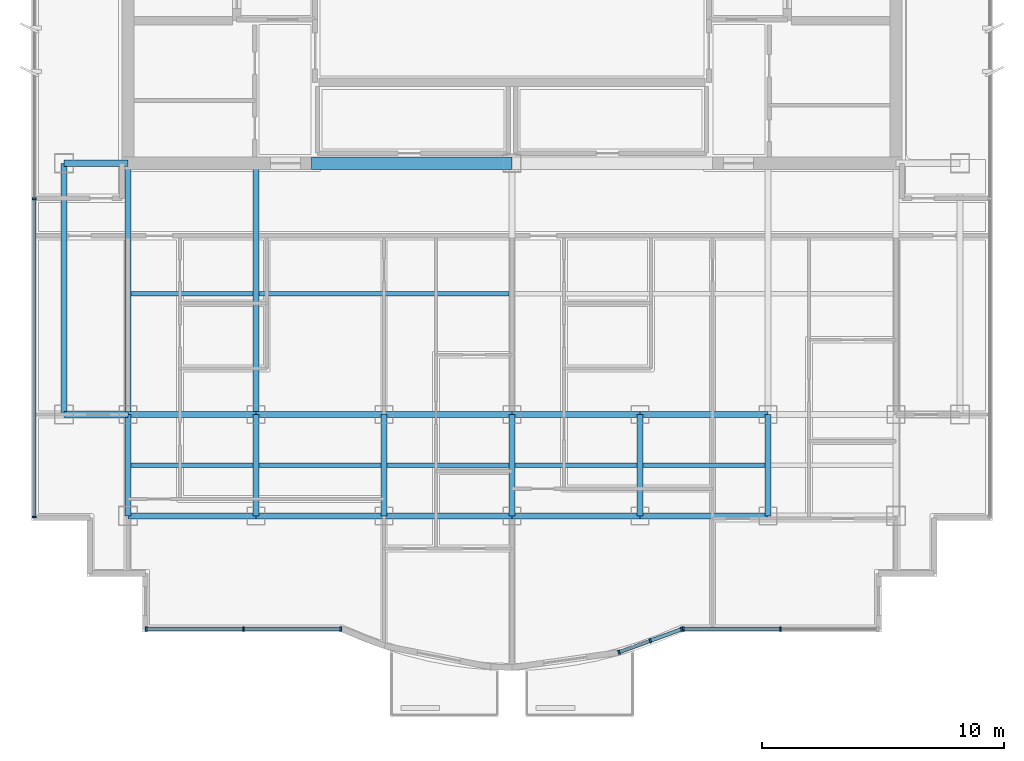
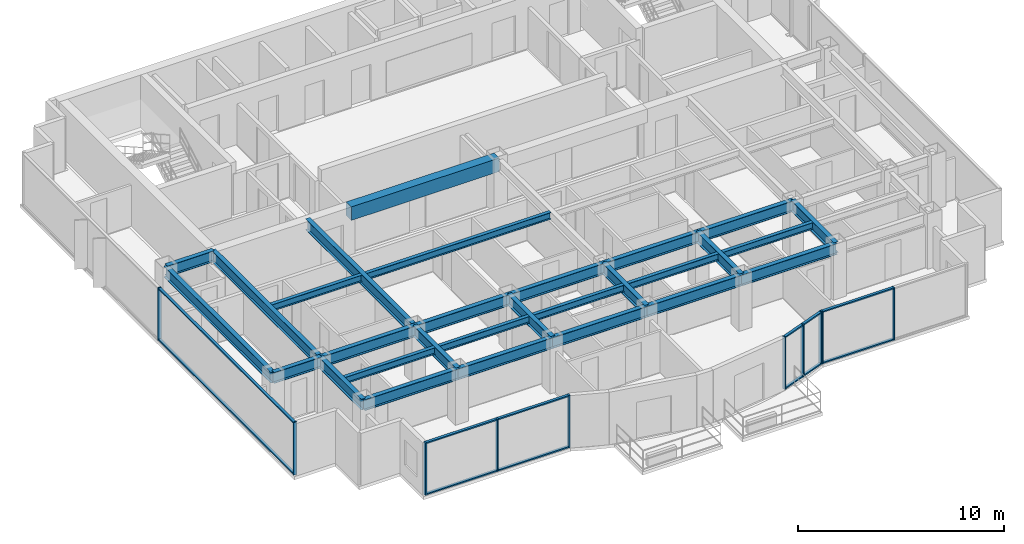
# One storey, part 2 of 12: 29 beams, 22 members, 4 elements without a shape of their own.
"""IFC4 building model written with IfcOpenShell, lengths in metres."""

from ifc_helpers import new_model, si_unit, direction, frame, origin, origin_2d, place, context, subcontext, project, spatial, rectangle, i_section, extrude, source, transform, mapped, material, layer, layer_set, material_profile, profile_set, type_object, element, aggregate, save


model = new_model("IFC4")

# Units and contexts
model_context = context("Model", 3, precision=1e-05, world=origin(), true_north=direction((0.0, 1.0)))
body_context = subcontext(model_context, "Body", "Model", "MODEL_VIEW")
ifc_project = project(units=[si_unit("LENGTHUNIT", "METRE"), si_unit("AREAUNIT", "SQUARE_METRE"), si_unit("VOLUMEUNIT", "CUBIC_METRE"), si_unit("PLANEANGLEUNIT", "RADIAN"), si_unit("MASSUNIT", "GRAM", prefix="KILO")], contexts=[model_context])

# Site, building, storey
site_placement = place(None, origin())
site = spatial("IfcSite", under=ifc_project, at=site_placement, CompositionType="ELEMENT")
building_placement = place(site_placement, origin())
building = spatial("IfcBuilding", under=site, at=building_placement, Name="Qianlan Lanfeng Residences", CompositionType="ELEMENT")
storey_placement = place(building_placement, frame((0.0, 0.0, 219.800048828125)))
storey = spatial("IfcBuildingStorey", under=building, at=storey_placement, Name="L60", CompositionType="ELEMENT", Elevation=219.800048828125)

# Beams
ifc_material_1 = material(Name="Steel SN490B", Category="steel")
ifc_material_profile_1 = material_profile(ifc_material_1, i_section(OverallWidth=0.25, OverallDepth=0.64990234375, WebThickness=0.012939453125, FlangeThickness=0.02197265625, at=origin_2d()), Name="H 650x250x13x22")
ifc_profile_set_1 = profile_set([ifc_material_profile_1], Name="Steel SN490B")
beam_type_1 = type_object("IfcBeamType", Name="G-650", PredefinedType="BEAM", material=ifc_profile_set_1)
beam_1_placement = place(storey_placement, frame((10.60009765625, 10.60009765625, 2.784912109375), z_axis=(1.0, 0.0, 0.0), x_axis=(0.0, 1.0, 0.0)))
element("IfcBeam", 1, at=beam_1_placement, inside=storey, type_object=beam_type_1, Name="Structural beam G-650", PredefinedType="BEAM", context=body_context, shape_type="SweptSolid", body=[
    extrude(i_section(OverallWidth=0.25, OverallDepth=0.64990234375, WebThickness=0.012939453125, FlangeThickness=0.02197265625, at=origin_2d()), origin(), (0.0, 0.0, 1.0), 5.2998046875),
])
for number, where, z_axis, x_axis, name in (
    (2, (15.89990234375, 10.60009765625, 2.784912109375), (1.0, 0.0, 0.0), (0.0, 1.0, 0.0), "Structural beam G-650"),
    (3, (21.199951171875, 10.60009765625, 2.784912109375), (1.0, 0.0, 0.0), (0.0, 1.0, 0.0), "Structural beam G-650"),
    (4, (26.5, 10.60009765625, 2.784912109375), (1.0, 0.0, 0.0), (0.0, 1.0, 0.0), "Structural beam G-650"),
    (5, (31.800048828125, 10.60009765625, 2.784912109375), (1.0, 0.0, 0.0), (0.0, 1.0, 0.0), "Structural beam G-650"),
):
    element("IfcBeam", number, at=place(storey_placement, frame(where, z_axis=z_axis, x_axis=x_axis)), inside=storey, type_object=beam_type_1, Name=name, PredefinedType="BEAM", context=body_context, shape_type="SweptSolid", body=[
        extrude(i_section(OverallWidth=0.25, OverallDepth=0.64990234375, WebThickness=0.012939453125, FlangeThickness=0.02197265625, at=origin_2d()), origin(), (0.0, 0.0, 1.0), 5.300048828125),
    ])
beam_2_placement = place(storey_placement, frame((7.949951171875, 14.800048828125, 2.784912109375), z_axis=(1.0, 0.0, 0.0), x_axis=(0.0, 1.0, 0.0)))
element("IfcBeam", 6, at=beam_2_placement, inside=storey, type_object=beam_type_1, Name="Structural beam G-650", PredefinedType="BEAM", context=body_context, shape_type="SweptSolid", body=[
    extrude(i_section(OverallWidth=0.25, OverallDepth=0.64990234375, WebThickness=0.012939453125, FlangeThickness=0.02197265625, at=origin_2d()), origin(), (0.0, 0.0, 1.0), 2.650146484375),
])
beam_3_placement = place(storey_placement, frame((10.60009765625, 14.800048828125, 2.784912109375), z_axis=(1.0, 0.0, 0.0), x_axis=(0.0, 1.0, 0.0)))
element("IfcBeam", 7, at=beam_3_placement, inside=storey, type_object=beam_type_1, Name="Structural beam G-650", PredefinedType="BEAM", context=body_context, shape_type="SweptSolid", body=[
    extrude(i_section(OverallWidth=0.25, OverallDepth=0.64990234375, WebThickness=0.012939453125, FlangeThickness=0.02197265625, at=origin_2d()), origin(), (0.0, 0.0, 1.0), 5.2998046875),
])
for number, where, z_axis, x_axis, name in (
    (8, (15.89990234375, 14.800048828125, 2.784912109375), (1.0, 0.0, 0.0), (0.0, 1.0, 0.0), "Structural beam G-650"),
    (9, (21.199951171875, 14.800048828125, 2.784912109375), (1.0, 0.0, 0.0), (0.0, 1.0, 0.0), "Structural beam G-650"),
    (10, (26.5, 14.800048828125, 2.784912109375), (1.0, 0.0, 0.0), (0.0, 1.0, 0.0), "Structural beam G-650"),
    (11, (31.800048828125, 14.800048828125, 2.784912109375), (1.0, 0.0, 0.0), (0.0, 1.0, 0.0), "Structural beam G-650"),
):
    element("IfcBeam", number, at=place(storey_placement, frame(where, z_axis=z_axis, x_axis=x_axis)), inside=storey, type_object=beam_type_1, Name=name, PredefinedType="BEAM", context=body_context, shape_type="SweptSolid", body=[
        extrude(i_section(OverallWidth=0.25, OverallDepth=0.64990234375, WebThickness=0.012939453125, FlangeThickness=0.02197265625, at=origin_2d()), origin(), (0.0, 0.0, 1.0), 5.300048828125),
    ])
beam_4_placement = place(storey_placement, frame((7.949951171875, 25.199951171875, 2.784912109375), z_axis=(1.0, 0.0, 0.0), x_axis=(0.0, 1.0, 0.0)))
element("IfcBeam", 12, at=beam_4_placement, inside=storey, type_object=beam_type_1, Name="Structural beam G-650", PredefinedType="BEAM", context=body_context, shape_type="SweptSolid", body=[
    extrude(i_section(OverallWidth=0.25, OverallDepth=0.64990234375, WebThickness=0.012939453125, FlangeThickness=0.02197265625, at=origin_2d()), origin(), (0.0, 0.0, 1.0), 2.650146484375),
])
beam_5_placement = place(storey_placement, frame((10.60009765625, 10.60009765625, 2.784912109375), z_axis=(0.0, 1.0, 0.0), x_axis=(-1.0, 0.0, 0.0)))
element("IfcBeam", 13, at=beam_5_placement, inside=storey, type_object=beam_type_1, Name="Structural beam G-650", PredefinedType="BEAM", context=body_context, shape_type="SweptSolid", body=[
    extrude(i_section(OverallWidth=0.25, OverallDepth=0.64990234375, WebThickness=0.012939453125, FlangeThickness=0.02197265625, at=origin_2d()), origin(), (0.0, 0.0, 1.0), 4.199951171875),
])
beam_6_placement = place(storey_placement, frame((10.60009765625, 14.800048828125, 2.784912109375), z_axis=(0.0, 1.0, 0.0), x_axis=(-1.0, 0.0, 0.0)))
element("IfcBeam", 14, at=beam_6_placement, inside=storey, type_object=beam_type_1, Name="Structural beam G-650", PredefinedType="BEAM", context=body_context, shape_type="SweptSolid", body=[
    extrude(i_section(OverallWidth=0.25, OverallDepth=0.64990234375, WebThickness=0.012939453125, FlangeThickness=0.02197265625, at=origin_2d()), origin(), (0.0, 0.0, 1.0), 10.39990234375),
])
beam_7_placement = place(storey_placement, frame((15.89990234375, 10.60009765625, 2.784912109375), z_axis=(0.0, 1.0, 0.0), x_axis=(-1.0, 0.0, 0.0)))
element("IfcBeam", 15, at=beam_7_placement, inside=storey, type_object=beam_type_1, Name="Structural beam G-650", PredefinedType="BEAM", context=body_context, shape_type="SweptSolid", body=[
    extrude(i_section(OverallWidth=0.25, OverallDepth=0.64990234375, WebThickness=0.012939453125, FlangeThickness=0.02197265625, at=origin_2d()), origin(), (0.0, 0.0, 1.0), 4.199951171875),
])
beam_8_placement = place(storey_placement, frame((15.89990234375, 14.800048828125, 2.784912109375), z_axis=(0.0, 1.0, 0.0), x_axis=(-1.0, 0.0, 0.0)))
element("IfcBeam", 16, at=beam_8_placement, inside=storey, type_object=beam_type_1, Name="Structural beam G-650", PredefinedType="BEAM", context=body_context, shape_type="SweptSolid", body=[
    extrude(i_section(OverallWidth=0.25, OverallDepth=0.64990234375, WebThickness=0.012939453125, FlangeThickness=0.02197265625, at=origin_2d()), origin(), (0.0, 0.0, 1.0), 10.39990234375),
])
for number, where, z_axis, x_axis, name in (
    (17, (21.199951171875, 10.60009765625, 2.784912109375), (0.0, 1.0, 0.0), (-1.0, 0.0, 0.0), "Structural beam G-650"),
    (18, (26.5, 10.60009765625, 2.784912109375), (0.0, 1.0, 0.0), (-1.0, 0.0, 0.0), "Structural beam G-650"),
    (19, (31.800048828125, 10.60009765625, 2.784912109375), (0.0, 1.0, 0.0), (-1.0, 0.0, 0.0), "Structural beam G-650"),
    (20, (37.10009765625, 10.60009765625, 2.784912109375), (0.0, 1.0, 0.0), (-1.0, 0.0, 0.0), "Structural beam G-650"),
):
    element("IfcBeam", number, at=place(storey_placement, frame(where, z_axis=z_axis, x_axis=x_axis)), inside=storey, type_object=beam_type_1, Name=name, PredefinedType="BEAM", context=body_context, shape_type="SweptSolid", body=[
        extrude(i_section(OverallWidth=0.25, OverallDepth=0.64990234375, WebThickness=0.012939453125, FlangeThickness=0.02197265625, at=origin_2d()), origin(), (0.0, 0.0, 1.0), 4.199951171875),
    ])
ifc_material_profile_2 = material_profile(ifc_material_1, i_section(OverallWidth=0.199951171875, OverallDepth=0.39990234375, WebThickness=0.008056640625, FlangeThickness=0.012939453125, at=origin_2d()), Name="H 400x200x8x13")
ifc_profile_set_2 = profile_set([ifc_material_profile_2], Name="Steel SN490B")
beam_type_2 = type_object("IfcBeamType", Name="J-400", PredefinedType="JOIST", material=ifc_profile_set_2)
beam_9_placement = place(storey_placement, frame((10.72509765625, 12.699951171875, 2.909912109375), z_axis=(1.0, 0.0, 0.0), x_axis=(0.0, 1.0, 0.0)))
element("IfcBeam", 21, at=beam_9_placement, inside=storey, type_object=beam_type_2, Name="Structural beam J-400", PredefinedType="JOIST", context=body_context, shape_type="SweptSolid", body=[
    extrude(i_section(OverallWidth=0.199951171875, OverallDepth=0.39990234375, WebThickness=0.008056640625, FlangeThickness=0.012939453125, at=origin_2d()), origin(), (0.0, 0.0, 1.0), 5.0498046875),
])
for number, where, z_axis, x_axis, name in (
    (22, (16.02490234375, 12.699951171875, 2.909912109375), (1.0, 0.0, 0.0), (0.0, 1.0, 0.0), "Structural beam J-400"),
    (23, (21.324951171875, 12.699951171875, 2.909912109375), (1.0, 0.0, 0.0), (0.0, 1.0, 0.0), "Structural beam J-400"),
    (24, (26.625, 12.699951171875, 2.909912109375), (1.0, 0.0, 0.0), (0.0, 1.0, 0.0), "Structural beam J-400"),
    (25, (31.925048828125, 12.699951171875, 2.909912109375), (1.0, 0.0, 0.0), (0.0, 1.0, 0.0), "Structural beam J-400"),
):
    element("IfcBeam", number, at=place(storey_placement, frame(where, z_axis=z_axis, x_axis=x_axis)), inside=storey, type_object=beam_type_2, Name=name, PredefinedType="JOIST", context=body_context, shape_type="SweptSolid", body=[
        extrude(i_section(OverallWidth=0.199951171875, OverallDepth=0.39990234375, WebThickness=0.008056640625, FlangeThickness=0.012939453125, at=origin_2d()), origin(), (0.0, 0.0, 1.0), 5.050048828125),
    ])
beam_10_placement = place(storey_placement, frame((10.72509765625, 19.800048828125, 2.909912109375), z_axis=(1.0, 0.0, 0.0), x_axis=(0.0, 1.0, 0.0)))
element("IfcBeam", 26, at=beam_10_placement, inside=storey, type_object=beam_type_2, Name="Structural beam J-400", PredefinedType="JOIST", context=body_context, shape_type="SweptSolid", body=[
    extrude(i_section(OverallWidth=0.199951171875, OverallDepth=0.39990234375, WebThickness=0.008056640625, FlangeThickness=0.012939453125, at=origin_2d()), origin(), (0.0, 0.0, 1.0), 5.0498046875),
])
beam_11_placement = place(storey_placement, frame((16.02490234375, 19.800048828125, 2.909912109375), z_axis=(1.0, 0.0, 0.0), x_axis=(0.0, 1.0, 0.0)))
element("IfcBeam", 27, at=beam_11_placement, inside=storey, type_object=beam_type_2, Name="Structural beam J-400", PredefinedType="JOIST", context=body_context, shape_type="SweptSolid", body=[
    extrude(i_section(OverallWidth=0.199951171875, OverallDepth=0.39990234375, WebThickness=0.008056640625, FlangeThickness=0.012939453125, at=origin_2d()), origin(), (0.0, 0.0, 1.0), 10.35009765625),
])
ifc_material_2 = material(Name="Concrete C49", Category="concrete")
ifc_material_profile_3 = material_profile(ifc_material_2, rectangle(XDim=0.5, YDim=0.800048828125, at=origin_2d()), Name="RC 500x800")
ifc_profile_set_3 = profile_set([ifc_material_profile_3], Name="Concrete C49")
beam_type_3 = type_object("IfcBeamType", Name="LB-RC750", PredefinedType="BEAM", material=ifc_profile_set_3)
beam_12_placement = place(storey_placement, frame((18.199951171875, 25.199951171875, 2.7099609375), z_axis=(1.0, 0.0, 0.0), x_axis=(0.0, 1.0, 0.0)))
element("IfcBeam", 28, at=beam_12_placement, inside=storey, type_object=beam_type_3, Name="L60 Core Coupling Beam W", PredefinedType="BEAM", context=body_context, shape_type="SweptSolid", body=[
    extrude(rectangle(XDim=0.5, YDim=0.800048828125, at=origin_2d()), origin(), (0.0, 0.0, 1.0), 8.300048828125),
])
ifc_material_profile_4 = material_profile(ifc_material_1, i_section(OverallWidth=0.25, OverallDepth=0.64990234375, WebThickness=0.012939453125, FlangeThickness=0.02197265625, at=origin_2d()), Name="H 650x250x13x22")
ifc_profile_set_4 = profile_set([ifc_material_profile_4], Name="Steel SN490B")
beam_type_4 = type_object("IfcBeamType", Name="SG-650", PredefinedType="SPANDREL", material=ifc_profile_set_4)
beam_13_placement = place(storey_placement, frame((7.949951171875, 14.800048828125, 2.764892578125), z_axis=(0.0, 1.0, 0.0), x_axis=(-1.0, 0.0, 0.0)))
element("IfcBeam", 29, at=beam_13_placement, inside=storey, type_object=beam_type_4, Name="Structural beam SG-650", PredefinedType="SPANDREL", context=body_context, shape_type="SweptSolid", body=[
    extrude(i_section(OverallWidth=0.25, OverallDepth=0.64990234375, WebThickness=0.012939453125, FlangeThickness=0.02197265625, at=origin_2d()), origin(), (0.0, 0.0, 1.0), 10.39990234375),
])

# Curtain wall, members
ifc_material_3 = material(Name="Anodised Bronze Aluminium 6063-T6", Category="aluminium")
ifc_layer = layer(ifc_material_3, 0.219970703125)
ifc_layer_set = layer_set([ifc_layer], Name="Anodised Bronze Aluminium 6063-T6")
curtain_wall_type = type_object("IfcCurtainWallType", Name="CW-05", PredefinedType="NOTDEFINED", material=ifc_layer_set)
curtain_wall_1_placement = place(storey_placement, origin())
curtain_wall_1 = element("IfcCurtainWall", 30, at=curtain_wall_1_placement, inside=storey, type_object=curtain_wall_type, Name="L60 Unitised Curtain Wall CWR-L60-01 (CW-05)", PredefinedType="NOTDEFINED")
ifc_material_profile_5 = material_profile(ifc_material_3, rectangle(XDim=0.074951171875, YDim=0.14990234375, at=origin_2d()), Name="ALU TRANSOM 75x150")
ifc_profile_set_5 = profile_set([ifc_material_profile_5], Name="Anodised Bronze Aluminium 6063-T6")
member_type_1 = type_object("IfcMemberType", Name="CWT-150", PredefinedType="USERDEFINED", material=ifc_profile_set_5)
shared_shape_1 = source(origin(), body_context, "Body", "SweptSolid", [
    extrude(rectangle(XDim=0.074951171875, YDim=0.14990234375, at=origin_2d()), origin(), (0.0, 0.0, 1.0), 3.949462890625),
])
member_1_placement = place(storey_placement, frame((11.39501953125, 5.919921875, 0.037353515625), z_axis=(1.0, 0.0, 0.0), x_axis=(0.0, 0.0, 1.0)))
member_1 = element("IfcMember", 31, at=member_1_placement, type_object=member_type_1, Name="CWR-L60-01 Transom 1-BOT", ObjectType="TRANSOM", PredefinedType="USERDEFINED", context=body_context, shape_type="MappedRepresentation", body=[
    mapped(shared_shape_1, transform((0.0, 0.0, 0.0), scale=1.0)),
])
member_2_placement = place(storey_placement, frame((11.39501953125, 5.919921875, 3.072509765625), z_axis=(1.0, 0.0, 0.0), x_axis=(0.0, 0.0, 1.0)))
member_2 = element("IfcMember", 32, at=member_2_placement, type_object=member_type_1, Name="CWR-L60-01 Transom 1-TOP", ObjectType="TRANSOM", PredefinedType="USERDEFINED", context=body_context, shape_type="MappedRepresentation", body=[
    mapped(shared_shape_1, transform((0.0, 0.0, 0.0), scale=1.0)),
])
member_3_placement = place(storey_placement, frame((15.41943359375, 5.919921875, 0.037353515625), z_axis=(1.0, 0.0, 0.0), x_axis=(0.0, 0.0, 1.0)))
member_3 = element("IfcMember", 33, at=member_3_placement, type_object=member_type_1, Name="CWR-L60-01 Transom 2-BOT", ObjectType="TRANSOM", PredefinedType="USERDEFINED", context=body_context, shape_type="MappedRepresentation", body=[
    mapped(shared_shape_1, transform((0.0, 0.0, 0.0), scale=1.0)),
])
member_4_placement = place(storey_placement, frame((15.41943359375, 5.919921875, 3.072509765625), z_axis=(1.0, 0.0, 0.0), x_axis=(0.0, 0.0, 1.0)))
member_4 = element("IfcMember", 34, at=member_4_placement, type_object=member_type_1, Name="CWR-L60-01 Transom 2-TOP", ObjectType="TRANSOM", PredefinedType="USERDEFINED", context=body_context, shape_type="MappedRepresentation", body=[
    mapped(shared_shape_1, transform((0.0, 0.0, 0.0), scale=1.0)),
])

curtain_wall_2_placement = place(storey_placement, origin())
curtain_wall_2 = element("IfcCurtainWall", 35, at=curtain_wall_2_placement, inside=storey, type_object=curtain_wall_type, Name="L60 Unitised Curtain Wall CWR-L60-03 (CW-05)", PredefinedType="NOTDEFINED")
member_5_placement = place(storey_placement, frame((33.631103515625, 5.919921875, 0.037353515625), z_axis=(1.0, 0.0, 0.0), x_axis=(0.0, 0.0, 1.0)))
member_5 = element("IfcMember", 36, at=member_5_placement, type_object=member_type_1, Name="CWR-L60-03 Transom 1-BOT", ObjectType="TRANSOM", PredefinedType="USERDEFINED", context=body_context, shape_type="MappedRepresentation", body=[
    mapped(shared_shape_1, transform((0.0, 0.0, 0.0), scale=1.0)),
])
member_6_placement = place(storey_placement, frame((33.631103515625, 5.919921875, 3.072509765625), z_axis=(1.0, 0.0, 0.0), x_axis=(0.0, 0.0, 1.0)))
member_6 = element("IfcMember", 37, at=member_6_placement, type_object=member_type_1, Name="CWR-L60-03 Transom 1-TOP", ObjectType="TRANSOM", PredefinedType="USERDEFINED", context=body_context, shape_type="MappedRepresentation", body=[
    mapped(shared_shape_1, transform((0.0, 0.0, 0.0), scale=1.0)),
])

curtain_wall_3_placement = place(storey_placement, origin())
curtain_wall_3 = element("IfcCurtainWall", 38, at=curtain_wall_3_placement, inside=storey, type_object=curtain_wall_type, Name="L60 Unitised Curtain Wall CWR-L60-02 (CW-05)", PredefinedType="NOTDEFINED")
shared_shape_2 = source(origin(), body_context, "Body", "SweptSolid", [
    extrude(rectangle(XDim=0.074951171875, YDim=0.14990234375, at=origin_2d()), origin(), (0.0, 0.0, 1.0), 1.306396484375),
])
member_7_placement = place(storey_placement, frame((30.96240234375, 4.966796875, 0.037353515625), z_axis=(0.938620376522, 0.344951864436, 0.0), x_axis=(0.0, 0.0, 1.0)))
member_7 = element("IfcMember", 39, at=member_7_placement, type_object=member_type_1, Name="CWR-L60-02 Transom 1-BOT", ObjectType="TRANSOM", PredefinedType="USERDEFINED", context=body_context, shape_type="MappedRepresentation", body=[
    mapped(shared_shape_2, transform((0.0, 0.0, 0.0), scale=1.0)),
])
member_8_placement = place(storey_placement, frame((30.96240234375, 4.966796875, 3.072509765625), z_axis=(0.938620376522, 0.344951864436, 0.0), x_axis=(0.0, 0.0, 1.0)))
member_8 = element("IfcMember", 40, at=member_8_placement, type_object=member_type_1, Name="CWR-L60-02 Transom 1-TOP", ObjectType="TRANSOM", PredefinedType="USERDEFINED", context=body_context, shape_type="MappedRepresentation", body=[
    mapped(shared_shape_2, transform((0.0, 0.0, 0.0), scale=1.0)),
])
member_9_placement = place(storey_placement, frame((32.25927734375, 5.443359375, 0.037353515625), z_axis=(0.938620376522, 0.344951864436, 0.0), x_axis=(0.0, 0.0, 1.0)))
member_9 = element("IfcMember", 41, at=member_9_placement, type_object=member_type_1, Name="CWR-L60-02 Transom 2-BOT", ObjectType="TRANSOM", PredefinedType="USERDEFINED", context=body_context, shape_type="MappedRepresentation", body=[
    mapped(shared_shape_2, transform((0.0, 0.0, 0.0), scale=1.0)),
])
member_10_placement = place(storey_placement, frame((32.25927734375, 5.443359375, 3.072509765625), z_axis=(0.938620376522, 0.344951864436, 0.0), x_axis=(0.0, 0.0, 1.0)))
member_10 = element("IfcMember", 42, at=member_10_placement, type_object=member_type_1, Name="CWR-L60-02 Transom 2-TOP", ObjectType="TRANSOM", PredefinedType="USERDEFINED", context=body_context, shape_type="MappedRepresentation", body=[
    mapped(shared_shape_2, transform((0.0, 0.0, 0.0), scale=1.0)),
])

curtain_wall_4_placement = place(storey_placement, origin())
curtain_wall_4 = element("IfcCurtainWall", 43, at=curtain_wall_4_placement, inside=storey, type_object=curtain_wall_type, Name="L60 Unitised Curtain Wall CWR-L60-05 (CW-05)", PredefinedType="NOTDEFINED")
shared_shape_3 = source(origin(), body_context, "Body", "SweptSolid", [
    extrude(rectangle(XDim=0.074951171875, YDim=0.14990234375, at=origin_2d()), origin(), (0.0, 0.0, 1.0), 13.092529296875),
])
member_11_placement = place(storey_placement, frame((6.719970703125, 23.6875, 0.037353515625), z_axis=(0.0, -1.0, 0.0), x_axis=(0.0, 0.0, 1.0)))
member_11 = element("IfcMember", 44, at=member_11_placement, type_object=member_type_1, Name="CWR-L60-05 Transom 2-BOT", ObjectType="TRANSOM", PredefinedType="USERDEFINED", context=body_context, shape_type="MappedRepresentation", body=[
    mapped(shared_shape_3, transform((0.0, 0.0, 0.0), scale=1.0)),
])
member_12_placement = place(storey_placement, frame((6.719970703125, 23.6875, 3.072509765625), z_axis=(0.0, -1.0, 0.0), x_axis=(0.0, 0.0, 1.0)))
member_12 = element("IfcMember", 45, at=member_12_placement, type_object=member_type_1, Name="CWR-L60-05 Transom 2-TOP", ObjectType="TRANSOM", PredefinedType="USERDEFINED", context=body_context, shape_type="MappedRepresentation", body=[
    mapped(shared_shape_3, transform((0.0, 0.0, 0.0), scale=1.0)),
])

# Member
ifc_material_profile_6 = material_profile(ifc_material_3, rectangle(XDim=0.074951171875, YDim=0.179931640625, at=origin_2d()), Name="ALU MULLION 75x180")
ifc_profile_set_6 = profile_set([ifc_material_profile_6], Name="Anodised Bronze Aluminium 6063-T6")
member_type_2 = type_object("IfcMemberType", Name="CWM-180", PredefinedType="MULLION", material=ifc_profile_set_6)
shared_shape_4 = source(origin(), body_context, "Body", "SweptSolid", [
    extrude(rectangle(XDim=0.074951171875, YDim=0.179931640625, at=origin_2d()), origin(), (0.0, 0.0, 1.0), 3.10986328125),
])
member_13_placement = place(storey_placement, frame((11.357421875, 5.919921875, 0.0), z_axis=(0.0, 0.0, 1.0), x_axis=(1.0, 0.0, 0.0)))
member_13 = element("IfcMember", 46, at=member_13_placement, type_object=member_type_2, Name="CWR-L60-01 Mullion 1", PredefinedType="MULLION", context=body_context, shape_type="MappedRepresentation", body=[
    mapped(shared_shape_4, transform((0.0, 0.0, 0.0), scale=1.0)),
])

member_14_placement = place(storey_placement, frame((15.382080078125, 5.919921875, 0.0), z_axis=(0.0, 0.0, 1.0), x_axis=(1.0, 0.0, 0.0)))
member_14 = element("IfcMember", 47, at=member_14_placement, type_object=member_type_2, Name="CWR-L60-01 Mullion 2", PredefinedType="MULLION", context=body_context, shape_type="MappedRepresentation", body=[
    mapped(shared_shape_4, transform((0.0, 0.0, 0.0), scale=1.0)),
])

member_15_placement = place(storey_placement, frame((19.406494140625, 5.919921875, 0.0), z_axis=(0.0, 0.0, 1.0), x_axis=(1.0, 0.0, 0.0)))
member_15 = element("IfcMember", 48, at=member_15_placement, type_object=member_type_2, Name="CWR-L60-01 Mullion 3", PredefinedType="MULLION", context=body_context, shape_type="MappedRepresentation", body=[
    mapped(shared_shape_4, transform((0.0, 0.0, 0.0), scale=1.0)),
])

aggregate(curtain_wall_1, [member_13, member_14, member_15, member_1, member_2, member_3, member_4])

member_16_placement = place(storey_placement, frame((30.92724609375, 4.953857421875, 0.0), z_axis=(0.0, 0.0, 1.0), x_axis=(0.938625538563, 0.344937818101, 0.0)))
member_16 = element("IfcMember", 49, at=member_16_placement, type_object=member_type_2, Name="CWR-L60-02 Mullion 1", PredefinedType="MULLION", context=body_context, shape_type="MappedRepresentation", body=[
    mapped(shared_shape_4, transform((0.0, 0.0, 0.0), scale=1.0)),
])

member_17_placement = place(storey_placement, frame((32.22412109375, 5.430419921875, 0.0), z_axis=(0.0, 0.0, 1.0), x_axis=(0.938625538563, 0.344937818101, 0.0)))
member_17 = element("IfcMember", 50, at=member_17_placement, type_object=member_type_2, Name="CWR-L60-02 Mullion 2", PredefinedType="MULLION", context=body_context, shape_type="MappedRepresentation", body=[
    mapped(shared_shape_4, transform((0.0, 0.0, 0.0), scale=1.0)),
])

member_18_placement = place(storey_placement, frame((33.520751953125, 5.906982421875, 0.0), z_axis=(0.0, 0.0, 1.0), x_axis=(0.938625538563, 0.344937818101, 0.0)))
member_18 = element("IfcMember", 51, at=member_18_placement, type_object=member_type_2, Name="CWR-L60-02 Mullion 3", PredefinedType="MULLION", context=body_context, shape_type="MappedRepresentation", body=[
    mapped(shared_shape_4, transform((0.0, 0.0, 0.0), scale=1.0)),
])

aggregate(curtain_wall_3, [member_16, member_17, member_18, member_7, member_8, member_9, member_10])

member_19_placement = place(storey_placement, frame((33.593505859375, 5.919921875, 0.0), z_axis=(0.0, 0.0, 1.0), x_axis=(1.0, 0.0, 0.0)))
member_19 = element("IfcMember", 52, at=member_19_placement, type_object=member_type_2, Name="CWR-L60-03 Mullion 1", PredefinedType="MULLION", context=body_context, shape_type="MappedRepresentation", body=[
    mapped(shared_shape_4, transform((0.0, 0.0, 0.0), scale=1.0)),
])

member_20_placement = place(storey_placement, frame((37.617919921875, 5.919921875, 0.0), z_axis=(0.0, 0.0, 1.0), x_axis=(1.0, 0.0, 0.0)))
member_20 = element("IfcMember", 53, at=member_20_placement, type_object=member_type_2, Name="CWR-L60-03 Mullion 2", PredefinedType="MULLION", context=body_context, shape_type="MappedRepresentation", body=[
    mapped(shared_shape_4, transform((0.0, 0.0, 0.0), scale=1.0)),
])

aggregate(curtain_wall_2, [member_19, member_20, member_5, member_6])

member_21_placement = place(storey_placement, frame((6.719970703125, 23.72509765625, 0.0), z_axis=(0.0, 0.0, 1.0), x_axis=(0.0, -1.0, 0.0)))
member_21 = element("IfcMember", 54, at=member_21_placement, type_object=member_type_2, Name="CWR-L60-05 Mullion 2", PredefinedType="MULLION", context=body_context, shape_type="MappedRepresentation", body=[
    mapped(shared_shape_4, transform((0.0, 0.0, 0.0), scale=1.0)),
])

member_22_placement = place(storey_placement, frame((6.719970703125, 10.5576171875, 0.0), z_axis=(0.0, 0.0, 1.0), x_axis=(0.0, -1.0, 0.0)))
member_22 = element("IfcMember", 55, at=member_22_placement, type_object=member_type_2, Name="CWR-L60-05 Mullion 3", PredefinedType="MULLION", context=body_context, shape_type="MappedRepresentation", body=[
    mapped(shared_shape_4, transform((0.0, 0.0, 0.0), scale=1.0)),
])

aggregate(curtain_wall_4, [member_21, member_22, member_11, member_12])

save(model, "model.ifc")
